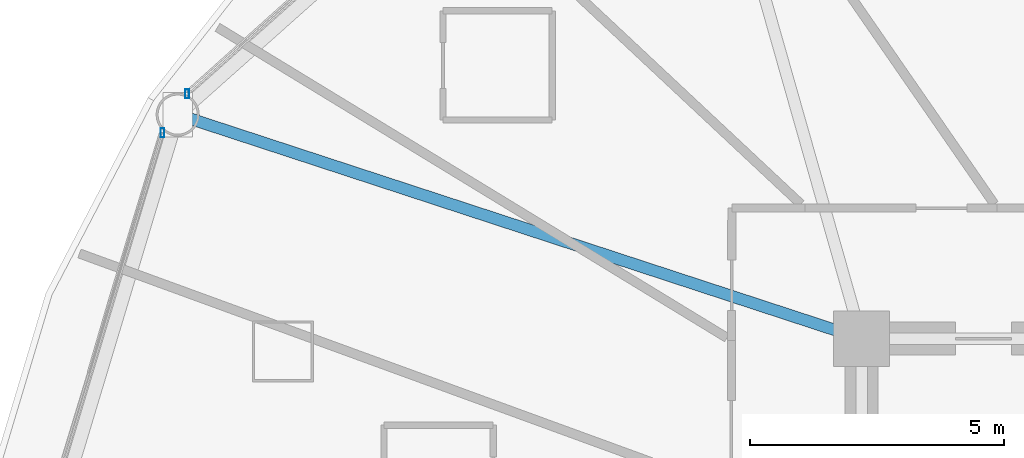
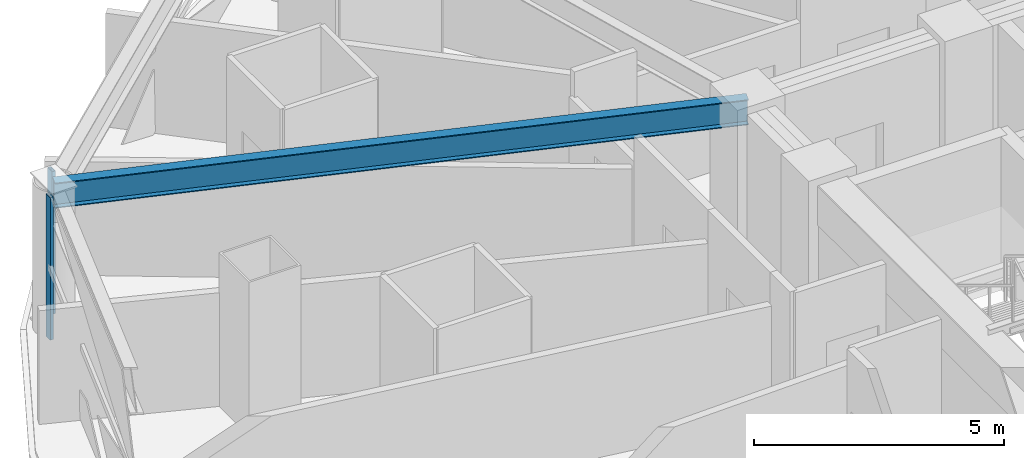
# One storey, part 15 of 32: 2 members, 1 beam, 2 elements without a shape of their own.
"""IFC4 building model written with IfcOpenShell, lengths in metres."""

from ifc_helpers import new_model, si_unit, direction, frame, origin, origin_2d, place, context, subcontext, project, spatial, hollow_rectangle, i_section, extrude, material, layer, layer_set, material_profile, profile_set, type_object, element, aggregate, save


model = new_model("IFC4")

# Units and contexts
model_context = context("Model", 3, precision=1e-05, world=origin(), true_north=direction((0.0, 1.0)))
body_context = subcontext(model_context, "Body", "Model", "MODEL_VIEW")
ifc_project = project(units=[si_unit("LENGTHUNIT", "METRE"), si_unit("AREAUNIT", "SQUARE_METRE"), si_unit("VOLUMEUNIT", "CUBIC_METRE"), si_unit("PLANEANGLEUNIT", "RADIAN"), si_unit("MASSUNIT", "GRAM", prefix="KILO")], contexts=[model_context])

# Site, building, storey
site_placement = place(None, origin())
site = spatial("IfcSite", under=ifc_project, at=site_placement, CompositionType="ELEMENT")
building_placement = place(site_placement, origin())
building = spatial("IfcBuilding", under=site, at=building_placement, Name="Vantalir Tower", CompositionType="ELEMENT")
storey_placement = place(building_placement, frame((0.0, 0.0, 45.75)))
storey = spatial("IfcBuildingStorey", under=building, at=storey_placement, Name="L10", CompositionType="ELEMENT", Elevation=45.75)

# Beam
ifc_material_1 = material(Name="Steel S355", Category="steel")
ifc_material_profile_1 = material_profile(ifc_material_1, i_section(OverallWidth=0.22998046875, OverallDepth=0.616943359375, WebThickness=0.01318359375, FlangeThickness=0.022216796875, at=origin_2d()), Name="Steel S355")
ifc_profile_set_1 = profile_set([ifc_material_profile_1], Name="Steel S355")
beam_type = type_object("IfcBeamType", Name="BM-RB-610x229", PredefinedType="BEAM", material=ifc_profile_set_1)
beam_placement = place(storey_placement, frame((8.429931640625, 36.863037109375, 3.261962890625), z_axis=(0.950298396934, -0.311340580048, 0.0), x_axis=(0.311340580048, 0.950298396934, 0.0)))
element("IfcBeam", 1, at=beam_placement, inside=storey, type_object=beam_type, Name="L10 Radial Floor Beam 06", PredefinedType="BEAM", context=body_context, shape_type="SweptSolid", body=[
    extrude(i_section(OverallWidth=0.22998046875, OverallDepth=0.616943359375, WebThickness=0.01318359375, FlangeThickness=0.022216796875, at=origin_2d()), origin(), (0.0, 0.0, 1.0), 14.174560546875),
])

# Curtain wall, member
ifc_material_2 = material(Name="Champagne-silver PVDF aluminium and double-silver Low-E glass", Category="aluminium")
ifc_layer = layer(ifc_material_2, 0.18994140625)
ifc_layer_set = layer_set([ifc_layer], Name="Champagne-silver PVDF aluminium and double-silver Low-E glass")
curtain_wall_type = type_object("IfcCurtainWallType", Name="CW-DIAMOND-Z1", PredefinedType="USERDEFINED", material=ifc_layer_set)
curtain_wall_1_placement = place(storey_placement, origin())
curtain_wall_1 = element("IfcCurtainWall", 2, at=curtain_wall_1_placement, inside=storey, type_object=curtain_wall_type, Name="L10 Quilted Pyramid-Diamond Curtain Wall S05", ObjectType="UNITISED CURTAIN WALL", PredefinedType="USERDEFINED")
ifc_material_3 = material(Name="Champagne-silver PVDF aluminium 6063-T6", Category="aluminium")
ifc_material_profile_2 = material_profile(ifc_material_3, hollow_rectangle(XDim=0.074951171875, YDim=0.179931640625, WallThickness=0.00390625, at=origin_2d()), Name="Champagne-silver PVDF aluminium 6063-T6")
ifc_profile_set_2 = profile_set([ifc_material_profile_2], Name="Champagne-silver PVDF aluminium 6063-T6")
member_type = type_object("IfcMemberType", Name="CWM-180x75", PredefinedType="MULLION", material=ifc_profile_set_2)
member_1_placement = place(storey_placement, frame((8.615966796875, 37.27099609375, 0.044921875), z_axis=(0.0, 0.0, 1.0), x_axis=(1.0, 0.0, 0.0)))
member_1 = element("IfcMember", 3, at=member_1_placement, type_object=member_type, Name="CW-L10-S05 Mullion 2", PredefinedType="MULLION", context=body_context, shape_type="SweptSolid", body=[
    extrude(hollow_rectangle(XDim=0.074951171875, YDim=0.179931640625, WallThickness=0.00390625, at=origin_2d()), origin(), (0.0, 0.0, 1.0), 3.47998046875),
])
aggregate(curtain_wall_1, [member_1])

curtain_wall_2_placement = place(storey_placement, origin())
curtain_wall_2 = element("IfcCurtainWall", 4, at=curtain_wall_2_placement, inside=storey, type_object=curtain_wall_type, Name="L10 Quilted Pyramid-Diamond Curtain Wall S06", ObjectType="UNITISED CURTAIN WALL", PredefinedType="USERDEFINED")
member_2_placement = place(storey_placement, frame((8.1298828125, 36.508056640625, 0.044921875), z_axis=(0.0, 0.0, 1.0), x_axis=(1.0, 0.0, 0.0)))
member_2 = element("IfcMember", 5, at=member_2_placement, type_object=member_type, Name="CW-L10-S06 Mullion 1", PredefinedType="MULLION", context=body_context, shape_type="SweptSolid", body=[
    extrude(hollow_rectangle(XDim=0.074951171875, YDim=0.179931640625, WallThickness=0.00390625, at=origin_2d()), origin(), (0.0, 0.0, 1.0), 3.47998046875),
])
aggregate(curtain_wall_2, [member_2])

save(model, "model.ifc")
